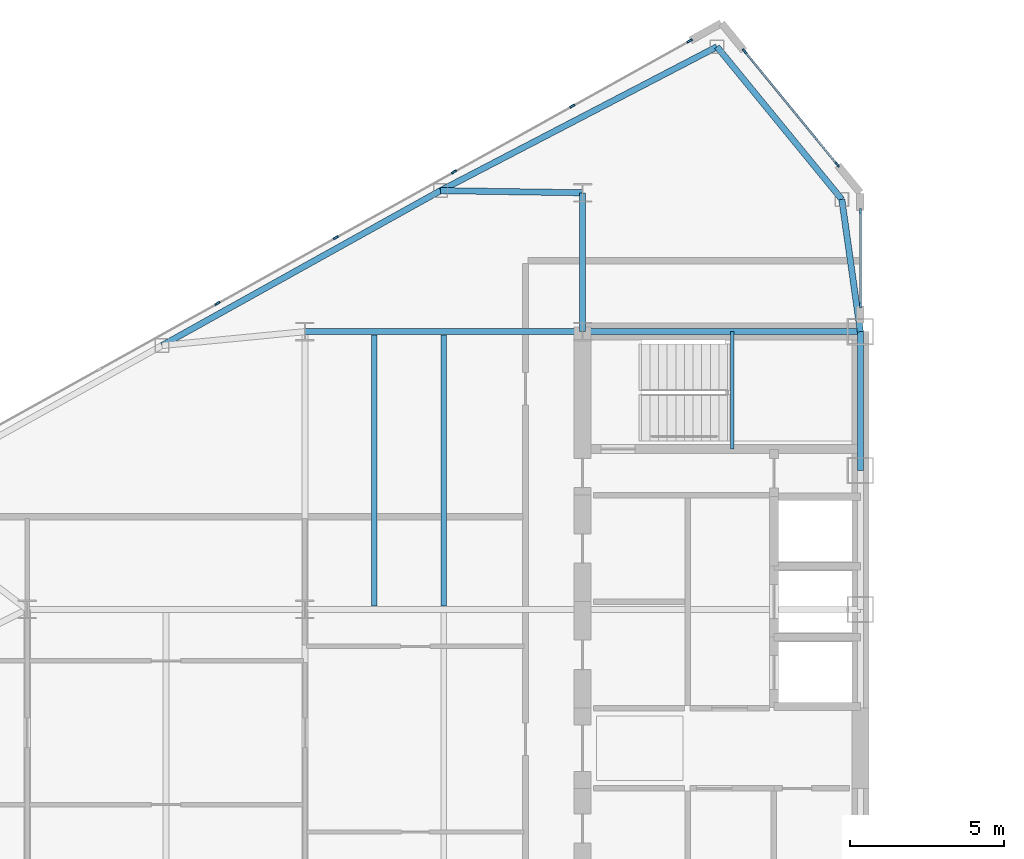
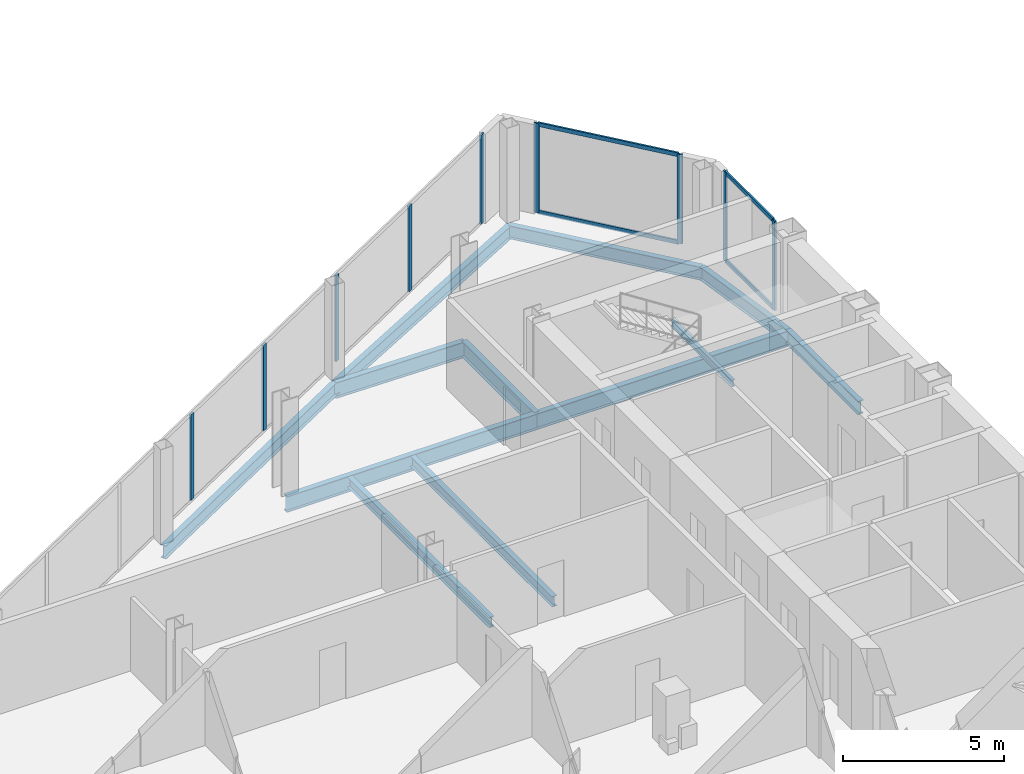
# One storey, part 10 of 26: 13 members, 12 beams, 3 elements without a shape of their own.
"""IFC4 building model written with IfcOpenShell, lengths in metres."""

import ifcopenshell
import ifcopenshell.guid

model = None  # the IFC model being written
_history = None  # IfcOwnerHistory: only IFC2X3 demands one
_inside = {}  # id of a spatial element -> (the spatial element, [elements in it])
_under = {}  # id of a project, library or spatial element -> (it, [spatial elements below it])
_declared = {}  # id of a project -> (the project, [libraries it declares])
_typed = {}  # id of a type object -> (the type object, [elements of that type])
_made_of = {}  # id of a material, layer set ... -> (it, [elements and type objects made of it])


def new_model(schema):
    """Start an empty IFC model of exactly this schema.

    Asked for "IFC4X3", IfcOpenShell would pick the latest addendum, in which some entities
    have other attributes; the version numbers below select the first issue.
    IFC2X3 requires an IfcOwnerHistory on every rooted entity: one is made here for all.
    """
    global model, _history
    if schema == "IFC4X3":
        model = ifcopenshell.file(schema_version=(4, 3, 0, 0))
    else:
        model = ifcopenshell.file(schema=schema)
    _inside.clear()
    _under.clear()
    _declared.clear()
    _typed.clear()
    _made_of.clear()
    _history = None
    if model.schema == "IFC2X3":
        org = make("IfcOrganization", Name="unknown")
        user = make(
            "IfcPersonAndOrganization",
            ThePerson=make("IfcPerson", FamilyName="unknown"),
            TheOrganization=org,
        )
        app = make(
            "IfcApplication",
            ApplicationDeveloper=org,
            Version="unknown",
            ApplicationFullName="unknown",
            ApplicationIdentifier="unknown",
        )
        _history = make(
            "IfcOwnerHistory",
            OwningUser=user,
            OwningApplication=app,
            ChangeAction="ADDED",
            CreationDate=0,
        )
    return model


def make(cls, **values):
    """One entity of the class cls with the attributes given. An attribute that is None is left unset."""
    return model.create_entity(
        cls, **{name: value for name, value in values.items() if value is not None}
    )


def rooted(cls, **values):
    """An entity with a GlobalId (a new one), such as an element, a storey or a relation."""
    return make(cls, GlobalId=ifcopenshell.guid.new(), OwnerHistory=_history, **values)


def si_unit(unit_type, name, prefix=None):
    """IfcSIUnit, for example si_unit("LENGTHUNIT", "METRE", prefix="MILLI")."""
    return make("IfcSIUnit", UnitType=unit_type, Prefix=prefix, Name=name)


def assignment(units):
    """IfcUnitAssignment: the units of a project."""
    return None if units is None else make("IfcUnitAssignment", Units=units)


def point(xyz):
    """IfcCartesianPoint."""
    return None if xyz is None else make("IfcCartesianPoint", Coordinates=xyz)


def direction(xyz):
    """IfcDirection."""
    return None if xyz is None else make("IfcDirection", DirectionRatios=xyz)


def frame(location, z_axis=None, x_axis=None):
    """IfcAxis2Placement3D, a coordinate frame: its origin and axes. An axis left out is left unset."""
    return make(
        "IfcAxis2Placement3D",
        Location=point(location),
        Axis=direction(z_axis),
        RefDirection=direction(x_axis),
    )


def frame_2d(location, x_axis=None):
    """IfcAxis2Placement2D, a coordinate frame in the plane: its origin and x axis."""
    return make(
        "IfcAxis2Placement2D", Location=point(location), RefDirection=direction(x_axis)
    )


def origin():
    """The frame at (0, 0, 0) with its axes left unset."""
    return frame((0.0, 0.0, 0.0))


def origin_2d():
    """The frame at (0, 0) in the plane with its x axis left unset."""
    return frame_2d((0.0, 0.0))


def place(relative_to, where):
    """IfcLocalPlacement: puts the frame where relative to a parent placement (None: the world)."""
    return make(
        "IfcLocalPlacement", PlacementRelTo=relative_to, RelativePlacement=where
    )


def context(
    kind, dimensions, precision=None, world=None, true_north=None, identifier=None
):
    """IfcGeometricRepresentationContext, for example the 3D "Model" context."""
    return make(
        "IfcGeometricRepresentationContext",
        ContextIdentifier=identifier,
        ContextType=kind,
        CoordinateSpaceDimension=dimensions,
        Precision=precision,
        WorldCoordinateSystem=world,
        TrueNorth=true_north,
    )


def subcontext(parent, identifier, kind, view, scale=None):
    """IfcGeometricRepresentationSubContext, for example "Body" below "Model"."""
    return make(
        "IfcGeometricRepresentationSubContext",
        ContextIdentifier=identifier,
        ContextType=kind,
        ParentContext=parent,
        TargetScale=scale,
        TargetView=view,
    )


def project(units=None, contexts=None):
    """IfcProject with its units and contexts."""
    return rooted(
        "IfcProject",
        Name="project",
        RepresentationContexts=contexts,
        UnitsInContext=assignment(units),
    )


def spatial(cls, under=None, at=None, **own):
    """A site, building, storey or space (cls), placed at a placement, below another one or the project."""
    s = rooted(cls, ObjectPlacement=at, **own)
    if under is not None:
        _under.setdefault(under.id(), (under, []))[1].append(s)
    return s


def profile(cls, at=None, kind="AREA", **sizes):
    """A parametric profile (cls). Its sizes go by their IFC names, for example OverallWidth=200.0."""
    return make(cls, ProfileType=kind, Position=at, **sizes)


def rectangle(**sizes):
    """IfcRectangleProfileDef."""
    return profile("IfcRectangleProfileDef", **sizes)


def i_section(**sizes):
    """IfcIShapeProfileDef."""
    return profile("IfcIShapeProfileDef", **sizes)


def extrude(swept, where, along, depth):
    """IfcExtrudedAreaSolid: the profile swept, set in the frame where, extruded along a direction by depth."""
    return make(
        "IfcExtrudedAreaSolid",
        SweptArea=swept,
        Position=where,
        ExtrudedDirection=direction(along),
        Depth=depth,
    )


def shape(context_of_items, identifier, shape_type, items):
    """IfcShapeRepresentation: the items that make up one representation, for example the "Body"."""
    return make(
        "IfcShapeRepresentation",
        ContextOfItems=context_of_items,
        RepresentationIdentifier=identifier,
        RepresentationType=shape_type,
        Items=items,
    )


def source(mapping_origin, context_of_items, identifier, shape_type, items):
    """IfcRepresentationMap: a shape defined once, which mapped items show again and again."""
    return make(
        "IfcRepresentationMap",
        MappingOrigin=mapping_origin,
        MappedRepresentation=shape(context_of_items, identifier, shape_type, items),
    )


def transform(
    local_origin,
    x_axis=None,
    y_axis=None,
    z_axis=None,
    scale=None,
    scale2=None,
    scale3=None,
    uniform=True,
):
    """IfcCartesianTransformationOperator3D, or its non-uniform kind. x_axis, y_axis, z_axis: its Axis1, 2, 3."""
    if uniform:
        return make(
            "IfcCartesianTransformationOperator3D",
            Axis1=direction(x_axis),
            Axis2=direction(y_axis),
            LocalOrigin=point(local_origin),
            Scale=scale,
            Axis3=direction(z_axis),
        )
    return make(
        "IfcCartesianTransformationOperator3DnonUniform",
        Axis1=direction(x_axis),
        Axis2=direction(y_axis),
        LocalOrigin=point(local_origin),
        Scale=scale,
        Axis3=direction(z_axis),
        Scale2=scale2,
        Scale3=scale3,
    )


def mapped(mapping_source, mapping_target):
    """IfcMappedItem: shows the shape of a source again, moved by a transform."""
    return make(
        "IfcMappedItem", MappingSource=mapping_source, MappingTarget=mapping_target
    )


def material(Name=None, Category=None):
    """IfcMaterial."""
    return make("IfcMaterial", Name=Name, Category=Category)


def layer(
    of_material, thickness, ventilated=None, Name=None, Category=None, Priority=None
):
    """IfcMaterialLayer: one layer of a wall or slab, of a material (None: an air gap)."""
    return make(
        "IfcMaterialLayer",
        Material=of_material,
        LayerThickness=thickness,
        IsVentilated=ventilated,
        Name=Name,
        Category=Category,
        Priority=Priority,
    )


def layer_set(layers, Name=None):
    """IfcMaterialLayerSet."""
    return make("IfcMaterialLayerSet", MaterialLayers=layers, LayerSetName=Name)


def material_profile(
    of_material, cross_section, Name=None, Category=None, Priority=None
):
    """IfcMaterialProfile: a cross section and its material."""
    return make(
        "IfcMaterialProfile",
        Name=Name,
        Material=of_material,
        Profile=cross_section,
        Priority=Priority,
        Category=Category,
    )


def profile_set(profiles, Name=None, composite=None):
    """IfcMaterialProfileSet."""
    return make(
        "IfcMaterialProfileSet",
        Name=Name,
        MaterialProfiles=profiles,
        CompositeProfile=composite,
    )


def made_of(thing, what):
    """Note that an element or type object is made of a material, layer set ...; save() writes the relation."""
    if what is not None:
        _made_of.setdefault(what.id(), (what, []))[1].append(thing)
    return thing


def type_object(cls, material=None, **own):
    """A type object (cls), such as IfcWallType, which elements share."""
    return made_of(rooted(cls, **own), material)


def type_shapes(of_type, sources):
    """Give a type object the sources (RepresentationMaps) that its elements show as mapped items."""
    of_type.RepresentationMaps = sources


def element(
    cls,
    number,
    at=None,
    inside=None,
    cuts=None,
    type_object=None,
    material=None,
    context=None,
    identifier="Body",
    shape_type=None,
    held_by="IfcProductDefinitionShape",
    body=None,
    shapes=None,
    **own,
):
    """One element of the class cls, such as IfcWall. Its Tag is "e" and its number.

    at: its placement. inside: the storey or other place that contains it. cuts: it is an
    opening in that element (IfcRelVoidsElement). A single representation is given by context,
    identifier, shape_type and body (its items); several are given by shapes. held_by: the class
    of the entity that holds the representations. save() writes the other relations.
    """
    e = rooted(cls, Tag="e%d" % number, ObjectPlacement=at, **own)
    if body is not None:
        shapes = [shape(context, identifier, shape_type, body)]
    if shapes is not None:
        e.Representation = make(held_by, Representations=shapes)
    if inside is not None:
        _inside.setdefault(inside.id(), (inside, []))[1].append(e)
    if cuts is not None:
        rooted(
            "IfcRelVoidsElement", RelatingBuildingElement=cuts, RelatedOpeningElement=e
        )
    if type_object is not None:
        _typed.setdefault(type_object.id(), (type_object, []))[1].append(e)
    return made_of(e, material)


def aggregate(whole, parts):
    """IfcRelAggregates: a whole, such as a stair, and the parts it consists of."""
    return rooted("IfcRelAggregates", RelatingObject=whole, RelatedObjects=parts)


def save(model, path):
    """Write the relations noted so far, then the file.

    IfcRelAggregates (storeys below a building ...), IfcRelContainedInSpatialStructure (elements
    in a storey), IfcRelDefinesByType, IfcRelAssociatesMaterial and IfcRelDeclares: one each for
    every whole, place, type object, material and project.
    """
    for whole, parts in _under.values():
        aggregate(whole, parts)
    for where, things in _inside.values():
        rooted(
            "IfcRelContainedInSpatialStructure",
            RelatedElements=things,
            RelatingStructure=where,
        )
    for kind, things in _typed.values():
        rooted("IfcRelDefinesByType", RelatedObjects=things, RelatingType=kind)
    for what, things in _made_of.values():
        rooted("IfcRelAssociatesMaterial", RelatedObjects=things, RelatingMaterial=what)
    for by, libraries in _declared.values():
        rooted("IfcRelDeclares", RelatingContext=by, RelatedDefinitions=libraries)
    model.write(path)


model = new_model("IFC4")

# Units and contexts
model_context = context("Model", 3, precision=1e-05, world=origin(), true_north=direction((0.0, 1.0)))
body_context = subcontext(model_context, "Body", "Model", "MODEL_VIEW")
ifc_project = project(units=[si_unit("LENGTHUNIT", "METRE"), si_unit("AREAUNIT", "SQUARE_METRE"), si_unit("VOLUMEUNIT", "CUBIC_METRE"), si_unit("PLANEANGLEUNIT", "RADIAN"), si_unit("MASSUNIT", "GRAM", prefix="KILO")], contexts=[model_context])

# Site, building, storey
site_placement = place(None, origin())
site = spatial("IfcSite", under=ifc_project, at=site_placement, CompositionType="ELEMENT")
building_placement = place(site_placement, origin())
building = spatial("IfcBuilding", under=site, at=building_placement, Name="Seokmaru Belvedere", CompositionType="ELEMENT")
storey_placement = place(building_placement, frame((0.0, 0.0, 177.89990234375)))
storey = spatial("IfcBuildingStorey", under=building, at=storey_placement, Name="L47", CompositionType="ELEMENT", Elevation=177.89990234375)

# Beams
ifc_material_1 = material(Name="Steel SM355 (355 MPa)", Category="steel")
ifc_material_profile_1 = material_profile(ifc_material_1, i_section(OverallWidth=0.199951171875, OverallDepth=0.5, WebThickness=0.010009765625, FlangeThickness=0.01611328125, at=origin_2d()), Name="H-500x200x10x16")
ifc_profile_set_1 = profile_set([ifc_material_profile_1], Name="Steel SM355 (355 MPa)")
beam_type_1 = type_object("IfcBeamType", Name="Perimeter Spandrel Beam H-500", PredefinedType="SPANDREL", material=ifc_profile_set_1)
shared_shape_1 = source(origin(), body_context, "Body", "SweptSolid", [
    extrude(i_section(OverallWidth=0.199951171875, OverallDepth=0.5, WebThickness=0.010009765625, FlangeThickness=0.01611328125, at=origin_2d()), origin(), (0.0, 0.0, 1.0), 4.5),
])
beam_1_placement = place(storey_placement, frame((-27.5, 9.0, -0.469970703125), z_axis=(0.0, 1.0, 0.0), x_axis=(-1.0, 0.0, 0.0)))
element("IfcBeam", 1, at=beam_1_placement, inside=storey, type_object=beam_type_1, Name="L47 W Portal Spine Spandrel 5", PredefinedType="SPANDREL", context=body_context, shape_type="MappedRepresentation", body=[
    mapped(shared_shape_1, transform((0.0, 0.0, 0.0), scale=1.0)),
])
ifc_material_profile_2 = material_profile(ifc_material_1, i_section(OverallWidth=0.199951171875, OverallDepth=0.60009765625, WebThickness=0.010986328125, FlangeThickness=0.01708984375, at=origin_2d()), Name="H-600x200x11x17")
ifc_profile_set_2 = profile_set([ifc_material_profile_2], Name="Steel SM355 (355 MPa)")
beam_type_2 = type_object("IfcBeamType", Name="Primary Floor Girder H-600", PredefinedType="BEAM", material=ifc_profile_set_2)
shared_shape_2 = source(origin(), body_context, "Body", "SweptSolid", [
    extrude(i_section(OverallWidth=0.199951171875, OverallDepth=0.60009765625, WebThickness=0.010986328125, FlangeThickness=0.01708984375, at=origin_2d()), origin(), (0.0, 0.0, 1.0), 9.0),
])
for number, where, z_axis, x_axis, name in (
    (2, (-36.5, 13.5, -0.52001953125), (1.0, 0.0, 0.0), (0.0, 1.0, 0.0), "L47 W Core Tie Girder 4"),
    (3, (-45.5, 13.5, -0.52001953125), (1.0, 0.0, 0.0), (0.0, 1.0, 0.0), "L47 W Wing Primary Girder 4"),
):
    element("IfcBeam", number, at=place(storey_placement, frame(where, z_axis=z_axis, x_axis=x_axis)), inside=storey, type_object=beam_type_2, Name=name, PredefinedType="BEAM", context=body_context, shape_type="MappedRepresentation", body=[
        mapped(shared_shape_2, transform((0.0, 0.0, 0.0), scale=1.0)),
    ])
ifc_material_profile_3 = material_profile(ifc_material_1, i_section(OverallWidth=0.18505859375, OverallDepth=0.389892578125, WebThickness=0.008056640625, FlangeThickness=0.011962890625, at=origin_2d()), Name="H-390x185x8x12")
ifc_profile_set_3 = profile_set([ifc_material_profile_3], Name="Steel SM355 (355 MPa)")
beam_type_3 = type_object("IfcBeamType", Name="Secondary Floor Joist H-350", PredefinedType="JOIST", material=ifc_profile_set_3)
shared_shape_3 = source(origin(), body_context, "Body", "SweptSolid", [
    extrude(i_section(OverallWidth=0.18505859375, OverallDepth=0.389892578125, WebThickness=0.008056640625, FlangeThickness=0.011962890625, at=origin_2d()), origin(), (0.0, 0.0, 1.0), 8.7900390625),
])
type_shapes(beam_type_3, [shared_shape_3])
for number, where, z_axis, x_axis, name in (
    (4, (-43.25, 4.60498046875, -0.414794921875), (0.0, 1.0, 0.0), (-1.0, 0.0, 0.0), "L47 W Wing Inner Secondary Joist 2"),
    (5, (-41.0, 4.60498046875, -0.414794921875), (0.0, 1.0, 0.0), (-1.0, 0.0, 0.0), "L47 W Secondary Floor Joist 3"),
):
    element("IfcBeam", number, at=place(storey_placement, frame(where, z_axis=z_axis, x_axis=x_axis)), inside=storey, type_object=beam_type_3, Name=name, PredefinedType="JOIST", context=body_context, shape_type="MappedRepresentation", body=[
        mapped(shared_shape_3, transform((0.0, 0.0, 0.0), scale=1.0)),
    ])
shared_shape_4 = source(origin(), body_context, "Body", "SweptSolid", [
    extrude(i_section(OverallWidth=0.199951171875, OverallDepth=0.60009765625, WebThickness=0.010986328125, FlangeThickness=0.01708984375, at=origin_2d()), origin(), (0.0, 0.0, 1.0), 4.5),
])
beam_2_placement = place(storey_placement, frame((-36.5, 13.5, -0.52001953125), z_axis=(0.0, 1.0, 0.0), x_axis=(-1.0, 0.0, 0.0)))
element("IfcBeam", 6, at=beam_2_placement, inside=storey, type_object=beam_type_2, Name="L47 W Core Shoulder Girder N", PredefinedType="BEAM", context=body_context, shape_type="MappedRepresentation", body=[
    mapped(shared_shape_4, transform((0.0, 0.0, 0.0), scale=1.0)),
])
shared_shape_5 = source(origin(), body_context, "Body", "SweptSolid", [
    extrude(i_section(OverallWidth=0.199951171875, OverallDepth=0.5, WebThickness=0.010009765625, FlangeThickness=0.01611328125, at=origin_2d()), origin(), (0.0, 0.0, 1.0), 10.09716796875),
])
beam_3_placement = place(storey_placement, frame((-32.146728515625, 22.731689453125, -0.469970703125), z_axis=(-0.887085728914, -0.461604711369, 0.0), x_axis=(0.461604711369, -0.887085728914, 0.0)))
element("IfcBeam", 7, at=beam_3_placement, inside=storey, type_object=beam_type_1, Name="L47 W Faceted Flank Spandrel N-1", PredefinedType="SPANDREL", context=body_context, shape_type="MappedRepresentation", body=[
    mapped(shared_shape_5, transform((0.0, 0.0, 0.0), scale=1.0)),
])
shared_shape_6 = source(origin(), body_context, "Body", "SweptSolid", [
    extrude(i_section(OverallWidth=0.199951171875, OverallDepth=0.5, WebThickness=0.010009765625, FlangeThickness=0.01611328125, at=origin_2d()), origin(), (0.0, 0.0, 1.0), 10.327392578125),
])
beam_4_placement = place(storey_placement, frame((-41.103759765625, 18.07080078125, -0.469970703125), z_axis=(-0.873924120588, -0.486062374037, 0.0), x_axis=(0.486062374037, -0.873924120588, 0.0)))
element("IfcBeam", 8, at=beam_4_placement, inside=storey, type_object=beam_type_1, Name="L47 W Faceted Flank Spandrel N-2", PredefinedType="SPANDREL", context=body_context, shape_type="MappedRepresentation", body=[
    mapped(shared_shape_6, transform((0.0, 0.0, 0.0), scale=1.0)),
])
shared_shape_7 = source(origin(), body_context, "Body", "SweptSolid", [
    extrude(i_section(OverallWidth=0.199951171875, OverallDepth=0.5, WebThickness=0.010009765625, FlangeThickness=0.01611328125, at=origin_2d()), origin(), (0.0, 0.0, 1.0), 6.390380859375),
])
beam_5_placement = place(storey_placement, frame((-32.146728515625, 22.731689453125, -0.469970703125), z_axis=(0.63324403161, -0.7739521926, 0.0), x_axis=(0.7739521926, 0.63324403161, 0.0)))
element("IfcBeam", 9, at=beam_5_placement, inside=storey, type_object=beam_type_1, Name="L47 W Shoulder Chamfer Spandrel N", PredefinedType="SPANDREL", context=body_context, shape_type="MappedRepresentation", body=[
    mapped(shared_shape_7, transform((0.0, 0.0, 0.0), scale=1.0)),
])
shared_shape_8 = source(origin(), body_context, "Body", "SweptSolid", [
    extrude(i_section(OverallWidth=0.199951171875, OverallDepth=0.5, WebThickness=0.010009765625, FlangeThickness=0.01611328125, at=origin_2d()), origin(), (0.0, 0.0, 1.0), 4.32763671875),
])
type_shapes(beam_type_1, [shared_shape_1, shared_shape_5, shared_shape_6, shared_shape_7, shared_shape_8])
beam_6_placement = place(storey_placement, frame((-28.10009765625, 17.785888671875, -0.469970703125), z_axis=(0.138664443237, -0.990339422714, 0.0), x_axis=(0.990339422714, 0.138664443237, 0.0)))
element("IfcBeam", 10, at=beam_6_placement, inside=storey, type_object=beam_type_1, Name="L47 W Shoulder Spine Spandrel N", PredefinedType="SPANDREL", context=body_context, shape_type="MappedRepresentation", body=[
    mapped(shared_shape_8, transform((0.0, 0.0, 0.0), scale=1.0)),
])
shared_shape_9 = source(origin(), body_context, "Body", "SweptSolid", [
    extrude(i_section(OverallWidth=0.199951171875, OverallDepth=0.60009765625, WebThickness=0.010986328125, FlangeThickness=0.01708984375, at=origin_2d()), origin(), (0.0, 0.0, 1.0), 4.604248046875),
])
type_shapes(beam_type_2, [shared_shape_2, shared_shape_4, shared_shape_9])
beam_7_placement = place(storey_placement, frame((-41.103759765625, 18.07080078125, -0.52001953125), z_axis=(0.999881765622, -0.01537708607, 0.0), x_axis=(0.01537708607, 0.999881765622, 0.0)))
element("IfcBeam", 11, at=beam_7_placement, inside=storey, type_object=beam_type_2, Name="L47 W Flank Radial Floor Girder N-1", PredefinedType="BEAM", context=body_context, shape_type="MappedRepresentation", body=[
    mapped(shared_shape_9, transform((0.0, 0.0, 0.0), scale=1.0)),
])

# Curtain wall, members
ifc_material_2 = material(Name="Bronze Triple Insulating Glass", Category="glass")
ifc_layer = layer(ifc_material_2, 0.179931640625)
ifc_layer_set = layer_set([ifc_layer], Name="Bronze Triple Insulating Glass")
curtain_wall_type = type_object("IfcCurtainWallType", Name="High-Rise Wind-Corner Curtain Wall System CW-5", PredefinedType="NOTDEFINED", material=ifc_layer_set)
curtain_wall_1_placement = place(storey_placement, origin())
curtain_wall_1 = element("IfcCurtainWall", 12, at=curtain_wall_1_placement, inside=storey, type_object=curtain_wall_type, Name="L47 Curtain Wall WSP_2", PredefinedType="NOTDEFINED")
ifc_material_3 = material(Name="Anodised Bronze Aluminium", Category="aluminium")
ifc_material_profile_4 = material_profile(ifc_material_3, rectangle(XDim=0.06494140625, YDim=0.14990234375, at=origin_2d()), Name="CW-T-65x150")
ifc_profile_set_4 = profile_set([ifc_material_profile_4], Name="Anodised Bronze Aluminium")
member_type_1 = type_object("IfcMemberType", Name="Bronze Unitised Transom 65x150", PredefinedType="USERDEFINED", material=ifc_profile_set_4)
shared_shape_10 = source(origin(), body_context, "Body", "SweptSolid", [
    extrude(rectangle(XDim=0.06494140625, YDim=0.14990234375, at=origin_2d()), origin(), (0.0, 0.0, 1.0), 2.969970703125),
])
member_1_placement = place(storey_placement, frame((-27.5, 14.39501953125, 0.03271484375), z_axis=(0.0, 1.0, 0.0), x_axis=(-1.0, 0.0, 0.0)))
member_1 = element("IfcMember", 13, at=member_1_placement, type_object=member_type_1, Name="CW:L47:WSP_2 Continuous Transom 1", ObjectType="TRANSOM", PredefinedType="USERDEFINED", context=body_context, shape_type="MappedRepresentation", body=[
    mapped(shared_shape_10, transform((0.0, 0.0, 0.0), scale=1.0)),
])
member_2_placement = place(storey_placement, frame((-27.5, 14.39501953125, 3.34765625), z_axis=(0.0, 1.0, 0.0), x_axis=(-1.0, 0.0, 0.0)))
member_2 = element("IfcMember", 14, at=member_2_placement, type_object=member_type_1, Name="CW:L47:WSP_2 Continuous Transom 2", ObjectType="TRANSOM", PredefinedType="USERDEFINED", context=body_context, shape_type="MappedRepresentation", body=[
    mapped(shared_shape_10, transform((0.0, 0.0, 0.0), scale=1.0)),
])

curtain_wall_2_placement = place(storey_placement, origin())
curtain_wall_2 = element("IfcCurtainWall", 15, at=curtain_wall_2_placement, inside=storey, type_object=curtain_wall_type, Name="L47 Curtain Wall WF2", PredefinedType="NOTDEFINED")
shared_shape_11 = source(origin(), body_context, "Body", "SweptSolid", [
    extrude(rectangle(XDim=0.06494140625, YDim=0.14990234375, at=origin_2d()), origin(), (0.0, 0.0, 1.0), 4.67626953125),
])
type_shapes(member_type_1, [shared_shape_10, shared_shape_11])
member_3_placement = place(storey_placement, frame((-28.269287109375, 18.9404296875, 0.03271484375), z_axis=(-0.633277591216, 0.773924733074, 0.0), x_axis=(-0.773924733074, -0.633277591216, 0.0)))
member_3 = element("IfcMember", 16, at=member_3_placement, type_object=member_type_1, Name="CW:L47:WF2 Continuous Transom 1", ObjectType="TRANSOM", PredefinedType="USERDEFINED", context=body_context, shape_type="MappedRepresentation", body=[
    mapped(shared_shape_11, transform((0.0, 0.0, 0.0), scale=1.0)),
])
member_4_placement = place(storey_placement, frame((-28.269287109375, 18.9404296875, 3.34765625), z_axis=(-0.633277591216, 0.773924733074, 0.0), x_axis=(-0.773924733074, -0.633277591216, 0.0)))
member_4 = element("IfcMember", 17, at=member_4_placement, type_object=member_type_1, Name="CW:L47:WF2 Continuous Transom 2", ObjectType="TRANSOM", PredefinedType="USERDEFINED", context=body_context, shape_type="MappedRepresentation", body=[
    mapped(shared_shape_11, transform((0.0, 0.0, 0.0), scale=1.0)),
])

curtain_wall_3_placement = place(storey_placement, origin())
curtain_wall_3 = element("IfcCurtainWall", 18, at=curtain_wall_3_placement, inside=storey, type_object=curtain_wall_type, Name="L47 Curtain Wall WF3", PredefinedType="NOTDEFINED")
ifc_material_profile_5 = material_profile(ifc_material_3, rectangle(XDim=0.06494140625, YDim=0.179931640625, at=origin_2d()), Name="CW-M-65x180")
ifc_profile_set_5 = profile_set([ifc_material_profile_5], Name="Anodised Bronze Aluminium")
member_type_2 = type_object("IfcMemberType", Name="Bronze Unitised Mullion 65x180", PredefinedType="MULLION", material=ifc_profile_set_5)
shared_shape_12 = source(origin(), body_context, "Body", "SweptSolid", [
    extrude(rectangle(XDim=0.06494140625, YDim=0.179931640625, at=origin_2d()), origin(), (0.0, 0.0, 1.0), 3.25),
])
member_5_placement = place(storey_placement, frame((-36.837158203125, 20.809814453125, 0.065185546875), z_axis=(0.0, 0.0, 1.0), x_axis=(0.486047125147, -0.873932601598, 0.0)))
member_5 = element("IfcMember", 19, at=member_5_placement, type_object=member_type_2, Name="CW:L47:WF3 Mullion 2", PredefinedType="MULLION", context=body_context, shape_type="MappedRepresentation", body=[
    mapped(shared_shape_12, transform((0.0, 0.0, 0.0), scale=1.0)),
])
member_6_placement = place(storey_placement, frame((-40.66943359375, 18.67822265625, 0.065185546875), z_axis=(0.0, 0.0, 1.0), x_axis=(0.486047125147, -0.873932601598, 0.0)))
member_6 = element("IfcMember", 20, at=member_6_placement, type_object=member_type_2, Name="CW:L47:WF3 Mullion 3", PredefinedType="MULLION", context=body_context, shape_type="MappedRepresentation", body=[
    mapped(shared_shape_12, transform((0.0, 0.0, 0.0), scale=1.0)),
])
member_7_placement = place(storey_placement, frame((-44.501708984375, 16.547119140625, 0.065185546875), z_axis=(0.0, 0.0, 1.0), x_axis=(0.486047125147, -0.873932601598, 0.0)))
member_7 = element("IfcMember", 21, at=member_7_placement, type_object=member_type_2, Name="CW:L47:WF3 Mullion 4", PredefinedType="MULLION", context=body_context, shape_type="MappedRepresentation", body=[
    mapped(shared_shape_12, transform((0.0, 0.0, 0.0), scale=1.0)),
])
member_8_placement = place(storey_placement, frame((-48.333984375, 14.415771484375, 0.065185546875), z_axis=(0.0, 0.0, 1.0), x_axis=(0.486047125147, -0.873932601598, 0.0)))
member_8 = element("IfcMember", 22, at=member_8_placement, type_object=member_type_2, Name="CW:L47:WF3 Mullion 5", PredefinedType="MULLION", context=body_context, shape_type="MappedRepresentation", body=[
    mapped(shared_shape_12, transform((0.0, 0.0, 0.0), scale=1.0)),
])

# Member
shared_shape_13 = source(origin(), body_context, "Body", "SweptSolid", [
    extrude(rectangle(XDim=0.06494140625, YDim=0.179931640625, at=origin_2d()), origin(), (0.0, 0.0, 1.0), 3.380126953125),
])
type_shapes(member_type_2, [shared_shape_12, shared_shape_13])
member_9_placement = place(storey_placement, frame((-27.5, 14.362548828125, 0.0), z_axis=(0.0, 0.0, 1.0), x_axis=(-1.0, 0.0, 0.0)))
member_9 = element("IfcMember", 23, at=member_9_placement, type_object=member_type_2, Name="CW:L47:WSP_2 Mullion 1", PredefinedType="MULLION", context=body_context, shape_type="MappedRepresentation", body=[
    mapped(shared_shape_13, transform((0.0, 0.0, 0.0), scale=1.0)),
])

member_10_placement = place(storey_placement, frame((-27.5, 17.3974609375, 0.0), z_axis=(0.0, 0.0, 1.0), x_axis=(-1.0, 0.0, 0.0)))
member_10 = element("IfcMember", 24, at=member_10_placement, type_object=member_type_2, Name="CW:L47:WSP_2 Mullion 2", PredefinedType="MULLION", context=body_context, shape_type="MappedRepresentation", body=[
    mapped(shared_shape_13, transform((0.0, 0.0, 0.0), scale=1.0)),
])

aggregate(curtain_wall_1, [member_9, member_10, member_1, member_2])

member_11_placement = place(storey_placement, frame((-28.248779296875, 18.915283203125, 0.0), z_axis=(0.0, 0.0, 1.0), x_axis=(-0.773944112379, -0.633253907144, 0.0)))
member_11 = element("IfcMember", 25, at=member_11_placement, type_object=member_type_2, Name="CW:L47:WF2 Mullion 1", PredefinedType="MULLION", context=body_context, shape_type="MappedRepresentation", body=[
    mapped(shared_shape_13, transform((0.0, 0.0, 0.0), scale=1.0)),
])

member_12_placement = place(storey_placement, frame((-31.251220703125, 22.584716796875, 0.0), z_axis=(0.0, 0.0, 1.0), x_axis=(-0.773944112379, -0.633253907144, 0.0)))
member_12 = element("IfcMember", 26, at=member_12_placement, type_object=member_type_2, Name="CW:L47:WF2 Mullion 2", PredefinedType="MULLION", context=body_context, shape_type="MappedRepresentation", body=[
    mapped(shared_shape_13, transform((0.0, 0.0, 0.0), scale=1.0)),
])

aggregate(curtain_wall_2, [member_11, member_12, member_3, member_4])

member_13_placement = place(storey_placement, frame((-33.033447265625, 22.92529296875, 0.0), z_axis=(0.0, 0.0, 1.0), x_axis=(0.486047125147, -0.873932601598, 0.0)))
member_13 = element("IfcMember", 27, at=member_13_placement, type_object=member_type_2, Name="CW:L47:WF3 Mullion 1", PredefinedType="MULLION", context=body_context, shape_type="MappedRepresentation", body=[
    mapped(shared_shape_13, transform((0.0, 0.0, 0.0), scale=1.0)),
])

aggregate(curtain_wall_3, [member_13, member_5, member_6, member_7, member_8])

# Beam
ifc_material_profile_6 = material_profile(ifc_material_1, i_section(OverallWidth=0.125, OverallDepth=0.25, WebThickness=0.006103515625, FlangeThickness=0.009033203125, at=origin_2d()), Name="H-250x125x6x9")
ifc_profile_set_6 = profile_set([ifc_material_profile_6], Name="Steel SM355 (355 MPa)")
beam_type_4 = type_object("IfcBeamType", Name="Stair Mid-Landing Support Beam H-250", PredefinedType="JOIST", material=ifc_profile_set_6)
shared_shape_14 = source(origin(), body_context, "Body", "SweptSolid", [
    extrude(i_section(OverallWidth=0.125, OverallDepth=0.25, WebThickness=0.006103515625, FlangeThickness=0.009033203125, at=origin_2d()), origin(), (0.0, 0.0, 1.0), 3.800048828125),
])
type_shapes(beam_type_4, [shared_shape_14])
beam_8_placement = place(storey_placement, frame((-31.64990234375, 9.699951171875, 1.47509765625), z_axis=(0.0, 1.0, 0.0), x_axis=(-1.0, 0.0, 0.0)))
element("IfcBeam", 28, at=beam_8_placement, inside=storey, type_object=beam_type_4, Name="L47 Stair ST-W2 Mid-Landing Support Beam 1", PredefinedType="JOIST", context=body_context, shape_type="MappedRepresentation", body=[
    mapped(shared_shape_14, transform((0.0, 0.0, 0.0), scale=1.0)),
])

save(model, "model.ifc")
